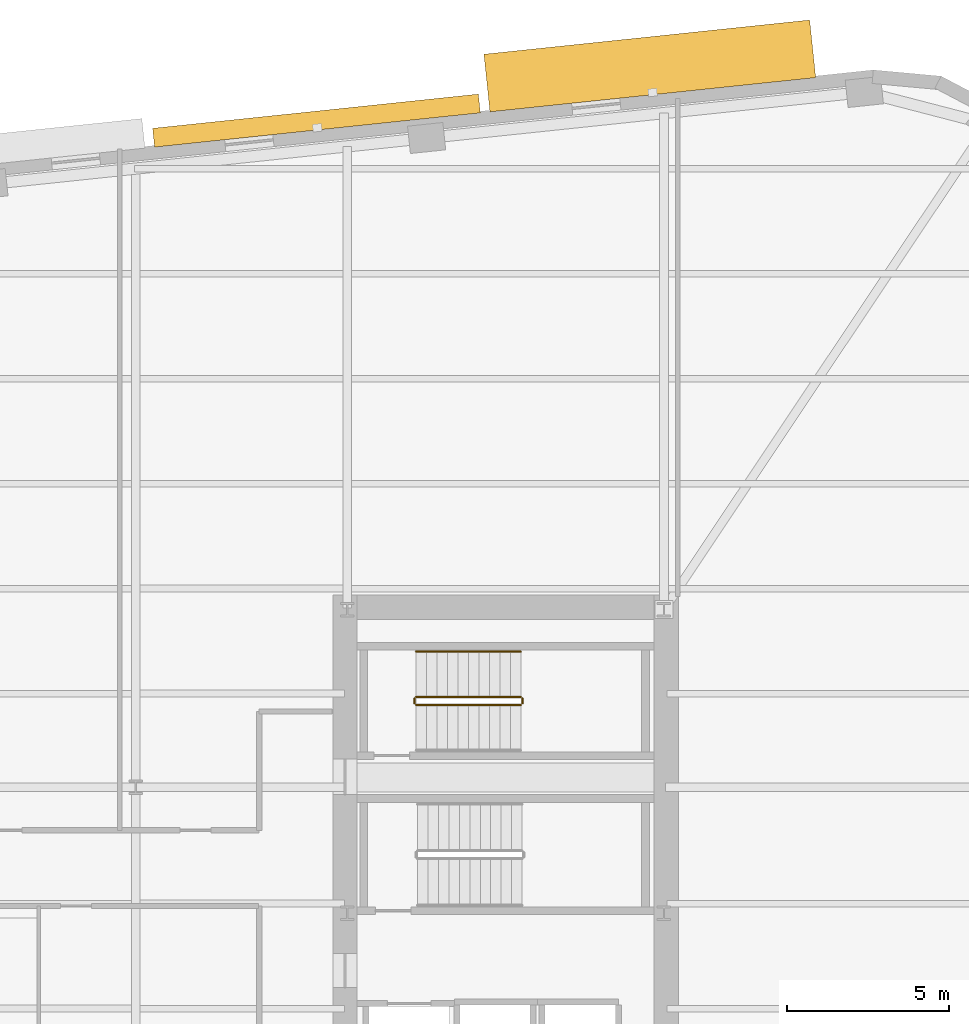
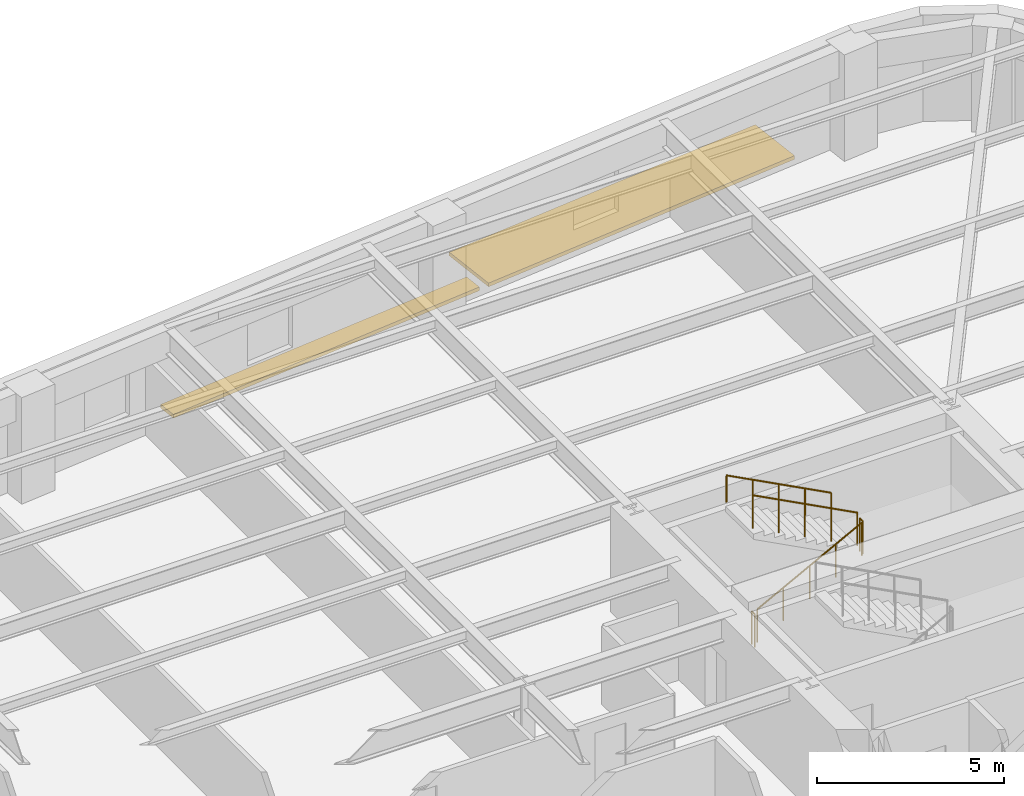
# One storey, part 13 of 13: 5 railings, 2 shading devices.
"""IFC4 building model written with IfcOpenShell, lengths in metres."""

from ifc_helpers import new_model, si_unit, direction, frame, origin, origin_2d, place, context, subcontext, project, spatial, rectangle, circle, extrude, material, type_object, element, save


model = new_model("IFC4")

# Units and contexts
model_context = context("Model", 3, precision=1e-05, world=origin(), true_north=direction((0.0, 1.0)))
body_context = subcontext(model_context, "Body", "Model", "MODEL_VIEW")
ifc_project = project(units=[si_unit("LENGTHUNIT", "METRE"), si_unit("AREAUNIT", "SQUARE_METRE"), si_unit("VOLUMEUNIT", "CUBIC_METRE"), si_unit("PLANEANGLEUNIT", "RADIAN"), si_unit("MASSUNIT", "GRAM", prefix="KILO")], contexts=[model_context])

# Site, building, storey
site_placement = place(None, origin())
site = spatial("IfcSite", under=ifc_project, at=site_placement, CompositionType="ELEMENT")
building_placement = place(site_placement, origin())
building = spatial("IfcBuilding", under=site, at=building_placement, Name="Kolvaren Arena Tower", CompositionType="ELEMENT")
storey_placement = place(building_placement, frame((0.0, 0.0, 114.699951171875)))
storey = spatial("IfcBuildingStorey", under=building, at=storey_placement, Name="L26", CompositionType="ELEMENT", Elevation=114.699951171875)

# Railings
ifc_material_1 = material(Name="Painted galvanized steel", Category="steel")
railing_type_1 = type_object("IfcRailingType", Name="GUARD-ST-110", PredefinedType="GUARDRAIL", material=ifc_material_1)
railing_1_placement = place(storey_placement, frame((52.679931640625, 36.39990234375, 0.17041015625)))
element("IfcRailing", 1, at=railing_1_placement, inside=storey, type_object=railing_type_1, Name="L26 ST-E2 stair guard 1", PredefinedType="GUARDRAIL", context=body_context, shape_type="SweptSolid", body=[
    extrude(circle(Radius=0.02392578125, at=origin_2d()), frame((0.0, 0.0, 1.076171875), z_axis=(0.884993431791, 0.0, 0.465603506952), x_axis=(0.0, 1.0, 0.0)), (0.0, 0.0, 1.0), 3.6611328125),
    extrude(circle(Radius=0.02099609375, at=origin_2d()), origin(), (0.0, 0.0, 1.0), 1.052001953125),
    extrude(circle(Radius=0.02099609375, at=origin_2d()), frame((0.81005859375, 0.0, 0.42626953125)), (0.0, 0.0, 1.0), 1.052001953125),
    extrude(circle(Radius=0.02099609375, at=origin_2d()), frame((1.6201171875, 0.0, 0.852294921875)), (0.0, 0.0, 1.0), 1.052001953125),
    extrude(circle(Radius=0.02099609375, at=origin_2d()), frame((2.429931640625, 0.0, 1.2783203125)), (0.0, 0.0, 1.0), 1.052001953125),
    extrude(circle(Radius=0.02099609375, at=origin_2d()), frame((3.239990234375, 0.0, 1.70458984375)), (0.0, 0.0, 1.0), 1.052001953125),
])
railing_2_placement = place(storey_placement, frame((55.969970703125, 36.449951171875, 1.875)))
element("IfcRailing", 2, at=railing_2_placement, inside=storey, type_object=railing_type_1, Name="L26 ST-E2 stair guard 2", PredefinedType="GUARDRAIL", context=body_context, shape_type="SweptSolid", body=[
    extrude(circle(Radius=0.02392578125, at=origin_2d()), frame((0.0, 0.0, 1.076171875), z_axis=(0.0, 1.0, 0.0), x_axis=(-1.0, 0.0, 0.0)), (0.0, 0.0, 1.0), 0.150146484375),
    extrude(circle(Radius=0.02099609375, at=origin_2d()), origin(), (0.0, 0.0, 1.0), 1.052001953125),
    extrude(circle(Radius=0.02099609375, at=origin_2d()), frame((0.0, 0.150146484375, 0.0)), (0.0, 0.0, 1.0), 1.052001953125),
])
railing_3_placement = place(storey_placement, frame((55.919921875, 36.64990234375, 2.04541015625)))
element("IfcRailing", 3, at=railing_3_placement, inside=storey, type_object=railing_type_1, Name="L26 ST-E2 stair guard 3", PredefinedType="GUARDRAIL", context=body_context, shape_type="SweptSolid", body=[
    extrude(circle(Radius=0.02392578125, at=origin_2d()), frame((0.0, 0.0, 1.076171875), z_axis=(-0.884993431791, 0.0, 0.465603506952), x_axis=(0.0, -1.0, 0.0)), (0.0, 0.0, 1.0), 3.6611328125),
    extrude(circle(Radius=0.02099609375, at=origin_2d()), origin(), (0.0, 0.0, 1.0), 1.052001953125),
    extrude(circle(Radius=0.02099609375, at=origin_2d()), frame((-0.81005859375, 0.0, 0.42626953125)), (0.0, 0.0, 1.0), 1.052001953125),
    extrude(circle(Radius=0.02099609375, at=origin_2d()), frame((-1.6201171875, 0.0, 0.852294921875)), (0.0, 0.0, 1.0), 1.052001953125),
    extrude(circle(Radius=0.02099609375, at=origin_2d()), frame((-2.429931640625, 0.0, 1.2783203125)), (0.0, 0.0, 1.0), 1.052001953125),
    extrude(circle(Radius=0.02099609375, at=origin_2d()), frame((-3.239990234375, 0.0, 1.70458984375)), (0.0, 0.0, 1.0), 1.052001953125),
])
railing_4_placement = place(storey_placement, frame((52.6298828125, 36.449951171875, 0.0)))
element("IfcRailing", 4, at=railing_4_placement, inside=storey, type_object=railing_type_1, Name="L26 ST-E2 stair guard 4", PredefinedType="GUARDRAIL", context=body_context, shape_type="SweptSolid", body=[
    extrude(circle(Radius=0.02392578125, at=origin_2d()), frame((0.0, 0.0, 1.076171875), z_axis=(0.0, 1.0, 0.0), x_axis=(-1.0, 0.0, 0.0)), (0.0, 0.0, 1.0), 0.150146484375),
    extrude(circle(Radius=0.02099609375, at=origin_2d()), origin(), (0.0, 0.0, 1.0), 1.052001953125),
    extrude(circle(Radius=0.02099609375, at=origin_2d()), frame((0.0, 0.150146484375, 0.0)), (0.0, 0.0, 1.0), 1.052001953125),
])
ifc_material_2 = material(Name="Brushed stainless steel handrail", Category="steel")
railing_type_2 = type_object("IfcRailingType", Name="HRAIL-900", PredefinedType="HANDRAIL", material=ifc_material_2)
railing_5_placement = place(storey_placement, frame((55.919921875, 38.050048828125, 2.04541015625)))
element("IfcRailing", 5, at=railing_5_placement, inside=storey, type_object=railing_type_2, Name="L26 ST-E2 stair handrail 2", PredefinedType="HANDRAIL", context=body_context, shape_type="SweptSolid", body=[
    extrude(circle(Radius=0.02392578125, at=origin_2d()), frame((0.0, 0.0, 0.8759765625), z_axis=(-0.884993431791, 0.0, 0.465603506952), x_axis=(0.0, -1.0, 0.0)), (0.0, 0.0, 1.0), 3.6611328125),
    extrude(circle(Radius=0.02099609375, at=origin_2d()), origin(), (0.0, 0.0, 1.0), 0.851806640625),
    extrude(circle(Radius=0.02099609375, at=origin_2d()), frame((-0.81005859375, 0.0, 0.42626953125)), (0.0, 0.0, 1.0), 0.851806640625),
    extrude(circle(Radius=0.02099609375, at=origin_2d()), frame((-1.6201171875, 0.0, 0.852294921875)), (0.0, 0.0, 1.0), 0.851806640625),
    extrude(circle(Radius=0.02099609375, at=origin_2d()), frame((-2.429931640625, 0.0, 1.2783203125)), (0.0, 0.0, 1.0), 0.851806640625),
    extrude(circle(Radius=0.02099609375, at=origin_2d()), frame((-3.239990234375, 0.0, 1.70458984375)), (0.0, 0.0, 1.0), 0.851806640625),
])

# Shading devices
ifc_material_3 = material(Name="Architectural precast GFRC and anodised aluminium sunshade", Category="concrete")
shading_device_type_1 = type_object("IfcShadingDeviceType", Name="SHAD-SINE-A", PredefinedType="USERDEFINED", material=ifc_material_3)
shading_device_1_placement = place(storey_placement, frame((49.59375, 54.490234375, -0.139892578125), z_axis=(0.0, 0.0, 1.0), x_axis=(0.994522077803, 0.104526727499, 0.0)))
element("IfcShadingDevice", 6, at=shading_device_1_placement, inside=storey, type_object=shading_device_type_1, Name="Sinusoidal Slab-Edge Sunshade Louvre (L26)", ObjectType="LOUVRE", PredefinedType="USERDEFINED", context=body_context, shape_type="SweptSolid", body=[
    extrude(rectangle(XDim=10.139892578125, YDim=0.5849609375, at=origin_2d()), origin(), (0.0, 0.0, 1.0), 0.1201171875),
])
shading_device_type_2 = type_object("IfcShadingDeviceType", Name="SHAD-SINE-B", PredefinedType="JALOUSIE", material=ifc_material_3)
shading_device_2_placement = place(storey_placement, frame((59.913330078125, 56.1826171875, -0.139892578125), z_axis=(0.0, 0.0, 1.0), x_axis=(0.994522077803, 0.104526727499, 0.0)))
element("IfcShadingDevice", 7, at=shading_device_2_placement, inside=storey, type_object=shading_device_type_2, Name="Sinusoidal Slab-Edge Sunshade Louvre (L26)", PredefinedType="JALOUSIE", context=body_context, shape_type="SweptSolid", body=[
    extrude(rectangle(XDim=10.139892578125, YDim=1.7939453125, at=origin_2d()), origin(), (0.0, 0.0, 1.0), 0.1201171875),
])

save(model, "model.ifc")
